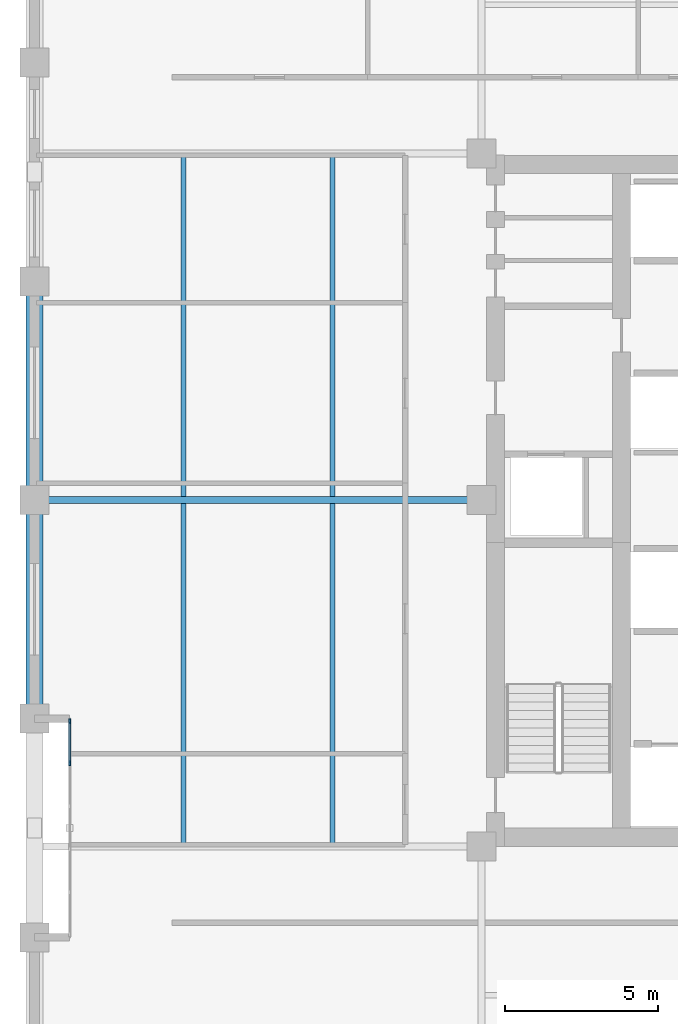
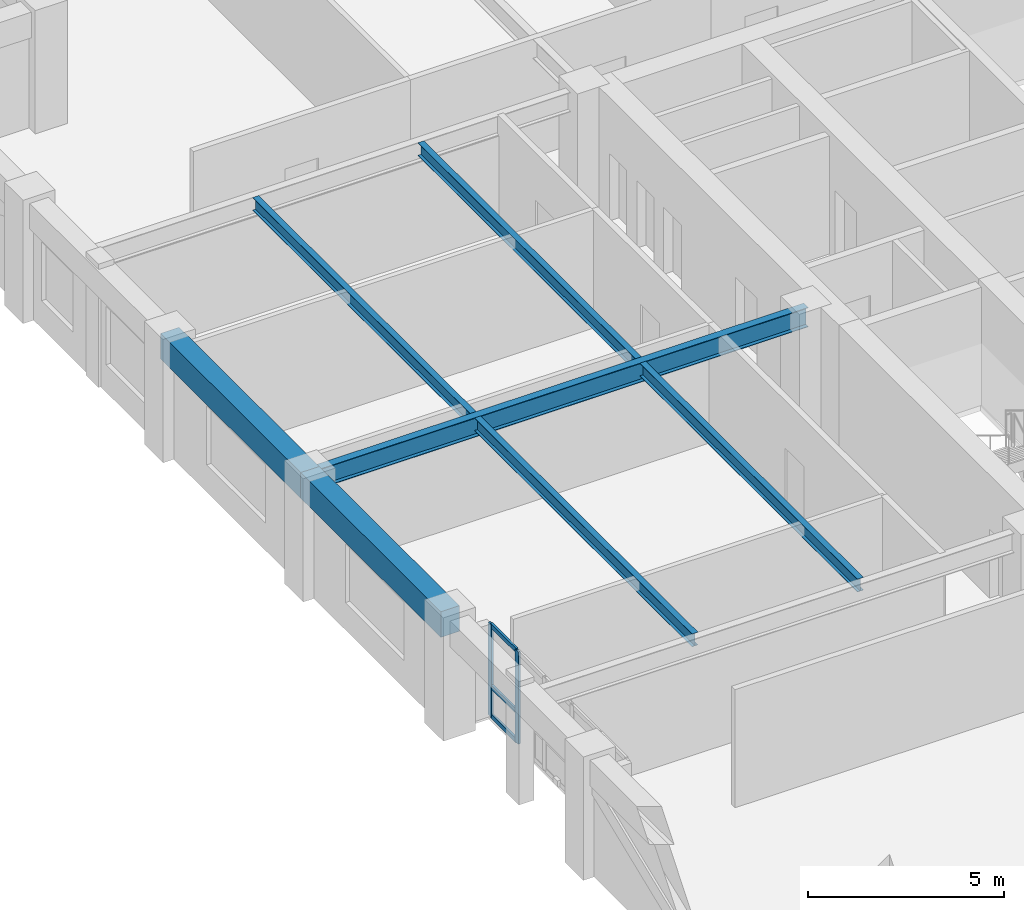
# One storey, part 4 of 11: 7 beams, 5 members, 1 element without a shape of its own.
"""IFC4 building model written with IfcOpenShell, lengths in metres."""

from ifc_helpers import new_model, si_unit, direction, frame, origin, origin_2d, place, context, subcontext, project, spatial, rectangle, i_section, extrude, material, layer, layer_set, material_profile, profile_set, type_object, element, aggregate, save


model = new_model("IFC4")

# Units and contexts
model_context = context("Model", 3, precision=1e-05, world=origin(), true_north=direction((0.0, 1.0)))
body_context = subcontext(model_context, "Body", "Model", "MODEL_VIEW")
ifc_project = project(units=[si_unit("LENGTHUNIT", "METRE"), si_unit("AREAUNIT", "SQUARE_METRE"), si_unit("VOLUMEUNIT", "CUBIC_METRE"), si_unit("PLANEANGLEUNIT", "RADIAN"), si_unit("MASSUNIT", "GRAM", prefix="KILO")], contexts=[model_context])

# Site, building, storey
site_placement = place(None, origin())
site = spatial("IfcSite", under=ifc_project, at=site_placement, CompositionType="ELEMENT")
building_placement = place(site_placement, origin())
building = spatial("IfcBuilding", under=site, at=building_placement, Name="Nhamokura Convention Tower", CompositionType="ELEMENT")
storey_placement = place(building_placement, frame((0.0, 0.0, 168.35009765625)))
storey = spatial("IfcBuildingStorey", under=building, at=storey_placement, Name="L41", CompositionType="ELEMENT", Elevation=168.35009765625)

# Curtain wall, members
ifc_material_1 = material(Name="Anodised bronze aluminium AA6063-T6", Category="aluminium")
ifc_layer = layer(ifc_material_1, 0.159912109375)
ifc_layer_set = layer_set([ifc_layer], Name="CWSystem_ScaleSlot_Zone2")
curtain_wall_type = type_object("IfcCurtainWallType", Name="CWSystem_ScaleSlot_Zone2", PredefinedType="NOTDEFINED", material=ifc_layer_set)
curtain_wall_placement = place(storey_placement, origin())
curtain_wall = element("IfcCurtainWall", 1, at=curtain_wall_placement, inside=storey, type_object=curtain_wall_type, Name="L41 Curtain Wall ENV-L41-SLOT-W1", PredefinedType="NOTDEFINED")
ifc_material_2 = material(Name="Anodised bronze aluminium AA6063-T6", Category="aluminium")
ifc_material_profile_1 = material_profile(ifc_material_2, rectangle(XDim=0.06494140625, YDim=0.1650390625, at=origin_2d()))
ifc_profile_set_1 = profile_set([ifc_material_profile_1], Name="Anodised bronze aluminium AA6063-T6")
member_type_1 = type_object("IfcMemberType", Name="CWMullion_3", PredefinedType="MULLION", material=ifc_profile_set_1)
member_1_placement = place(storey_placement, frame((7.14990234375, 23.364013671875, 0.0), z_axis=(0.0, 0.0, 1.0), x_axis=(-1.0, 0.0, 0.0)))
member_1 = element("IfcMember", 2, at=member_1_placement, type_object=member_type_1, Name="CW-04 mullion 5", PredefinedType="MULLION", context=body_context, shape_type="SweptSolid", body=[
    extrude(rectangle(XDim=0.06494140625, YDim=0.1650390625, at=origin_2d()), origin(), (0.0, 0.0, 1.0), 2.885009765625),
])
member_2_placement = place(storey_placement, frame((7.14990234375, 24.74072265625, 0.0), z_axis=(0.0, 0.0, 1.0), x_axis=(-1.0, 0.0, 0.0)))
member_2 = element("IfcMember", 3, at=member_2_placement, type_object=member_type_1, Name="CW-04 mullion 6", PredefinedType="MULLION", context=body_context, shape_type="SweptSolid", body=[
    extrude(rectangle(XDim=0.06494140625, YDim=0.1650390625, at=origin_2d()), origin(), (0.0, 0.0, 1.0), 2.885009765625),
])
ifc_material_3 = material(Name="Anodised bronze aluminium AA6063-T6", Category="aluminium")
ifc_material_profile_2 = material_profile(ifc_material_3, rectangle(XDim=0.06494140625, YDim=0.139892578125, at=origin_2d()))
ifc_profile_set_2 = profile_set([ifc_material_profile_2], Name="Anodised bronze aluminium AA6063-T6")
member_type_2 = type_object("IfcMemberType", Name="CWTransom_3", PredefinedType="USERDEFINED", material=ifc_profile_set_2)
member_3_placement = place(storey_placement, frame((7.14990234375, 23.396484375, 0.032470703125), z_axis=(0.0, 1.0, 0.0), x_axis=(-1.0, 0.0, 0.0)))
member_3 = element("IfcMember", 4, at=member_3_placement, type_object=member_type_2, Name="CW-04 transom 5.1", ObjectType="TRANSOM", PredefinedType="USERDEFINED", context=body_context, shape_type="SweptSolid", body=[
    extrude(rectangle(XDim=0.06494140625, YDim=0.139892578125, at=origin_2d()), origin(), (0.0, 0.0, 1.0), 1.311767578125),
])
member_4_placement = place(storey_placement, frame((7.14990234375, 23.396484375, 0.949951171875), z_axis=(0.0, 1.0, 0.0), x_axis=(-1.0, 0.0, 0.0)))
member_4 = element("IfcMember", 5, at=member_4_placement, type_object=member_type_2, Name="CW-04 transom 5.2", ObjectType="TRANSOM", PredefinedType="USERDEFINED", context=body_context, shape_type="SweptSolid", body=[
    extrude(rectangle(XDim=0.06494140625, YDim=0.139892578125, at=origin_2d()), origin(), (0.0, 0.0, 1.0), 1.311767578125),
])
member_5_placement = place(storey_placement, frame((7.14990234375, 23.396484375, 2.852294921875), z_axis=(0.0, 1.0, 0.0), x_axis=(-1.0, 0.0, 0.0)))
member_5 = element("IfcMember", 6, at=member_5_placement, type_object=member_type_2, Name="CW-04 transom 5.3", ObjectType="TRANSOM", PredefinedType="USERDEFINED", context=body_context, shape_type="SweptSolid", body=[
    extrude(rectangle(XDim=0.06494140625, YDim=0.139892578125, at=origin_2d()), origin(), (0.0, 0.0, 1.0), 1.311767578125),
])
aggregate(curtain_wall, [member_1, member_2, member_3, member_4, member_5])

# Beams
ifc_material_4 = material(Name="Steel ASTM A992 Gr 50", Category="steel")
ifc_material_profile_3 = material_profile(ifc_material_4, i_section(OverallWidth=0.177001953125, OverallDepth=0.403076171875, WebThickness=0.007568359375, FlangeThickness=0.010986328125, at=origin_2d()))
ifc_profile_set_3 = profile_set([ifc_material_profile_3], Name="Steel ASTM A992 Gr 50")
beam_type_1 = type_object("IfcBeamType", Name="FloorJoist_W410X53", PredefinedType="JOIST", material=ifc_profile_set_3)
for number, where, z_axis, x_axis, name in (
    (7, (10.88330078125, 20.761962890625, 3.4833984375), (0.0, 1.0, 0.0), (-1.0, 0.0, 0.0), "L41 Composite Floor Joist W1A"),
    (8, (10.88330078125, 32.112060546875, 3.4833984375), (0.0, 1.0, 0.0), (-1.0, 0.0, 0.0), "L41 Composite Floor Joist W1B"),
    (9, (15.7666015625, 20.761962890625, 3.4833984375), (0.0, 1.0, 0.0), (-1.0, 0.0, 0.0), "L41 Composite Floor Joist W2A"),
    (10, (15.7666015625, 32.112060546875, 3.4833984375), (0.0, 1.0, 0.0), (-1.0, 0.0, 0.0), "L41 Composite Floor Joist W2B"),
):
    element("IfcBeam", number, at=place(storey_placement, frame(where, z_axis=z_axis, x_axis=x_axis)), inside=storey, type_object=beam_type_1, Name=name, PredefinedType="JOIST", context=body_context, shape_type="SweptSolid", body=[
        extrude(i_section(OverallWidth=0.177001953125, OverallDepth=0.403076171875, WebThickness=0.007568359375, FlangeThickness=0.010986328125, at=origin_2d()), origin(), (0.0, 0.0, 1.0), 11.1259765625),
    ])
ifc_material_5 = material(Name="Steel ASTM A992 Gr 50", Category="steel")
ifc_material_profile_4 = material_profile(ifc_material_5, i_section(OverallWidth=0.22802734375, OverallDepth=0.60791015625, WebThickness=0.01123046875, FlangeThickness=0.017333984375, at=origin_2d()))
ifc_profile_set_4 = profile_set([ifc_material_profile_4], Name="Steel ASTM A992 Gr 50")
beam_type_2 = type_object("IfcBeamType", Name="PrimaryGirder_W610X113", PredefinedType="BEAM", material=ifc_profile_set_4)
beam_placement = place(storey_placement, frame((6.0, 32.0, 3.380859375), z_axis=(1.0, 0.0, 0.0), x_axis=(0.0, 1.0, 0.0)))
element("IfcBeam", 11, at=beam_placement, inside=storey, type_object=beam_type_2, Name="L41 Primary Floor Girder PG-W2", PredefinedType="BEAM", context=body_context, shape_type="SweptSolid", body=[
    extrude(i_section(OverallWidth=0.22802734375, OverallDepth=0.60791015625, WebThickness=0.01123046875, FlangeThickness=0.017333984375, at=origin_2d()), origin(), (0.0, 0.0, 1.0), 14.64990234375),
])
ifc_material_6 = material(Name="Concrete C50/60", Category="concrete")
ifc_material_profile_5 = material_profile(ifc_material_6, rectangle(XDim=0.550048828125, YDim=0.800048828125, at=origin_2d()))
ifc_profile_set_5 = profile_set([ifc_material_profile_5], Name="Concrete C50/60")
beam_type_3 = type_object("IfcBeamType", Name="TubeSpandrel_800", PredefinedType="SPANDREL", material=ifc_profile_set_5)
for number, where, z_axis, x_axis, name in (
    (12, (6.0, 24.833251953125, 3.284912109375), (0.0, 1.0, 0.0), (-1.0, 0.0, 0.0), "L41 Perimeter Spandrel WEST 3"),
    (13, (6.0, 32.0, 3.284912109375), (0.0, 1.0, 0.0), (-1.0, 0.0, 0.0), "L41 Perimeter Spandrel WEST 4"),
):
    element("IfcBeam", number, at=place(storey_placement, frame(where, z_axis=z_axis, x_axis=x_axis)), inside=storey, type_object=beam_type_3, Name=name, PredefinedType="SPANDREL", context=body_context, shape_type="SweptSolid", body=[
        extrude(rectangle(XDim=0.550048828125, YDim=0.800048828125, at=origin_2d()), origin(), (0.0, 0.0, 1.0), 7.166748046875),
    ])

save(model, "model.ifc")
